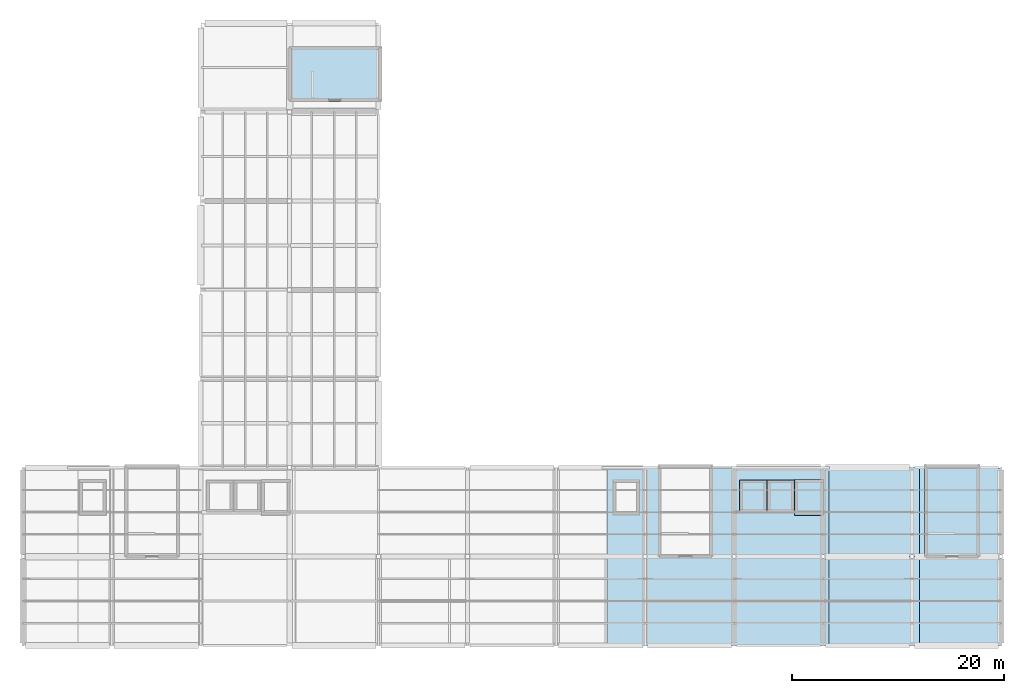
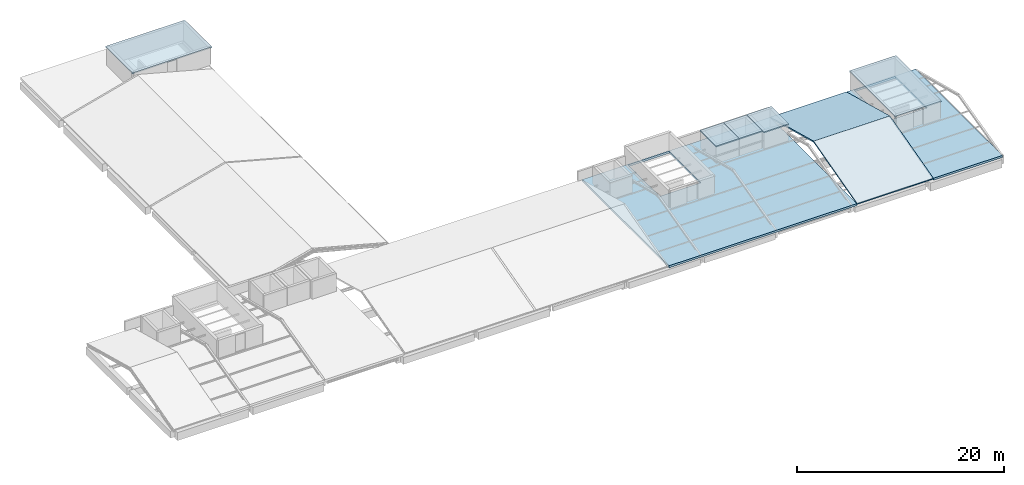
# One storey, part 5 of 17: 9 slabs.
"""IFC4 building model written with IfcOpenShell, lengths in metres."""

import ifcopenshell
import ifcopenshell.guid

model = None  # the IFC model being written
_history = None  # IfcOwnerHistory: only IFC2X3 demands one
_inside = {}  # id of a spatial element -> (the spatial element, [elements in it])
_under = {}  # id of a project, library or spatial element -> (it, [spatial elements below it])
_declared = {}  # id of a project -> (the project, [libraries it declares])
_typed = {}  # id of a type object -> (the type object, [elements of that type])
_made_of = {}  # id of a material, layer set ... -> (it, [elements and type objects made of it])


def new_model(schema):
    """Start an empty IFC model of exactly this schema.

    Asked for "IFC4X3", IfcOpenShell would pick the latest addendum, in which some entities
    have other attributes; the version numbers below select the first issue.
    IFC2X3 requires an IfcOwnerHistory on every rooted entity: one is made here for all.
    """
    global model, _history
    if schema == "IFC4X3":
        model = ifcopenshell.file(schema_version=(4, 3, 0, 0))
    else:
        model = ifcopenshell.file(schema=schema)
    _inside.clear()
    _under.clear()
    _declared.clear()
    _typed.clear()
    _made_of.clear()
    _history = None
    if model.schema == "IFC2X3":
        org = make("IfcOrganization", Name="unknown")
        user = make(
            "IfcPersonAndOrganization",
            ThePerson=make("IfcPerson", FamilyName="unknown"),
            TheOrganization=org,
        )
        app = make(
            "IfcApplication",
            ApplicationDeveloper=org,
            Version="unknown",
            ApplicationFullName="unknown",
            ApplicationIdentifier="unknown",
        )
        _history = make(
            "IfcOwnerHistory",
            OwningUser=user,
            OwningApplication=app,
            ChangeAction="ADDED",
            CreationDate=0,
        )
    return model


def make(cls, **values):
    """One entity of the class cls with the attributes given. An attribute that is None is left unset."""
    return model.create_entity(
        cls, **{name: value for name, value in values.items() if value is not None}
    )


def rooted(cls, **values):
    """An entity with a GlobalId (a new one), such as an element, a storey or a relation."""
    return make(cls, GlobalId=ifcopenshell.guid.new(), OwnerHistory=_history, **values)


def si_unit(unit_type, name, prefix=None):
    """IfcSIUnit, for example si_unit("LENGTHUNIT", "METRE", prefix="MILLI")."""
    return make("IfcSIUnit", UnitType=unit_type, Prefix=prefix, Name=name)


def derived_unit(unit_type, elements):
    """IfcDerivedUnit: a product of units, each with its exponent."""
    return make(
        "IfcDerivedUnit",
        Elements=[
            make("IfcDerivedUnitElement", Unit=unit, Exponent=power)
            for unit, power in elements
        ],
        UnitType=unit_type,
    )


def assignment(units):
    """IfcUnitAssignment: the units of a project."""
    return None if units is None else make("IfcUnitAssignment", Units=units)


def point(xyz):
    """IfcCartesianPoint."""
    return None if xyz is None else make("IfcCartesianPoint", Coordinates=xyz)


def direction(xyz):
    """IfcDirection."""
    return None if xyz is None else make("IfcDirection", DirectionRatios=xyz)


def frame(location, z_axis=None, x_axis=None):
    """IfcAxis2Placement3D, a coordinate frame: its origin and axes. An axis left out is left unset."""
    return make(
        "IfcAxis2Placement3D",
        Location=point(location),
        Axis=direction(z_axis),
        RefDirection=direction(x_axis),
    )


def origin():
    """The frame at (0, 0, 0) with its axes left unset."""
    return frame((0.0, 0.0, 0.0))


def place(relative_to, where):
    """IfcLocalPlacement: puts the frame where relative to a parent placement (None: the world)."""
    return make(
        "IfcLocalPlacement", PlacementRelTo=relative_to, RelativePlacement=where
    )


def context(
    kind, dimensions, precision=None, world=None, true_north=None, identifier=None
):
    """IfcGeometricRepresentationContext, for example the 3D "Model" context."""
    return make(
        "IfcGeometricRepresentationContext",
        ContextIdentifier=identifier,
        ContextType=kind,
        CoordinateSpaceDimension=dimensions,
        Precision=precision,
        WorldCoordinateSystem=world,
        TrueNorth=true_north,
    )


def subcontext(parent, identifier, kind, view, scale=None):
    """IfcGeometricRepresentationSubContext, for example "Body" below "Model"."""
    return make(
        "IfcGeometricRepresentationSubContext",
        ContextIdentifier=identifier,
        ContextType=kind,
        ParentContext=parent,
        TargetScale=scale,
        TargetView=view,
    )


def project(units=None, contexts=None):
    """IfcProject with its units and contexts."""
    return rooted(
        "IfcProject",
        Name="project",
        RepresentationContexts=contexts,
        UnitsInContext=assignment(units),
    )


def spatial(cls, under=None, at=None, **own):
    """A site, building, storey or space (cls), placed at a placement, below another one or the project."""
    s = rooted(cls, ObjectPlacement=at, **own)
    if under is not None:
        _under.setdefault(under.id(), (under, []))[1].append(s)
    return s


def polyline(points):
    """IfcPolyline through the points."""
    return make("IfcPolyline", Points=[point(p) for p in points])


def outline(outer, holes=None, kind="AREA"):
    """IfcArbitraryClosedProfileDef: a profile drawn as a closed curve; with holes, ...WithVoids."""
    if holes is None:
        return make("IfcArbitraryClosedProfileDef", ProfileType=kind, OuterCurve=outer)
    return make(
        "IfcArbitraryProfileDefWithVoids",
        ProfileType=kind,
        OuterCurve=outer,
        InnerCurves=holes,
    )


def extrude(swept, where, along, depth):
    """IfcExtrudedAreaSolid: the profile swept, set in the frame where, extruded along a direction by depth."""
    return make(
        "IfcExtrudedAreaSolid",
        SweptArea=swept,
        Position=where,
        ExtrudedDirection=direction(along),
        Depth=depth,
    )


def shape(context_of_items, identifier, shape_type, items):
    """IfcShapeRepresentation: the items that make up one representation, for example the "Body"."""
    return make(
        "IfcShapeRepresentation",
        ContextOfItems=context_of_items,
        RepresentationIdentifier=identifier,
        RepresentationType=shape_type,
        Items=items,
    )


def material(Name=None, Category=None):
    """IfcMaterial."""
    return make("IfcMaterial", Name=Name, Category=Category)


def layer(
    of_material, thickness, ventilated=None, Name=None, Category=None, Priority=None
):
    """IfcMaterialLayer: one layer of a wall or slab, of a material (None: an air gap)."""
    return make(
        "IfcMaterialLayer",
        Material=of_material,
        LayerThickness=thickness,
        IsVentilated=ventilated,
        Name=Name,
        Category=Category,
        Priority=Priority,
    )


def layer_set(layers, Name=None):
    """IfcMaterialLayerSet."""
    return make("IfcMaterialLayerSet", MaterialLayers=layers, LayerSetName=Name)


def made_of(thing, what):
    """Note that an element or type object is made of a material, layer set ...; save() writes the relation."""
    if what is not None:
        _made_of.setdefault(what.id(), (what, []))[1].append(thing)
    return thing


def type_object(cls, material=None, **own):
    """A type object (cls), such as IfcWallType, which elements share."""
    return made_of(rooted(cls, **own), material)


def element(
    cls,
    number,
    at=None,
    inside=None,
    cuts=None,
    type_object=None,
    material=None,
    context=None,
    identifier="Body",
    shape_type=None,
    held_by="IfcProductDefinitionShape",
    body=None,
    shapes=None,
    **own,
):
    """One element of the class cls, such as IfcWall. Its Tag is "e" and its number.

    at: its placement. inside: the storey or other place that contains it. cuts: it is an
    opening in that element (IfcRelVoidsElement). A single representation is given by context,
    identifier, shape_type and body (its items); several are given by shapes. held_by: the class
    of the entity that holds the representations. save() writes the other relations.
    """
    e = rooted(cls, Tag="e%d" % number, ObjectPlacement=at, **own)
    if body is not None:
        shapes = [shape(context, identifier, shape_type, body)]
    if shapes is not None:
        e.Representation = make(held_by, Representations=shapes)
    if inside is not None:
        _inside.setdefault(inside.id(), (inside, []))[1].append(e)
    if cuts is not None:
        rooted(
            "IfcRelVoidsElement", RelatingBuildingElement=cuts, RelatedOpeningElement=e
        )
    if type_object is not None:
        _typed.setdefault(type_object.id(), (type_object, []))[1].append(e)
    return made_of(e, material)


def aggregate(whole, parts):
    """IfcRelAggregates: a whole, such as a stair, and the parts it consists of."""
    return rooted("IfcRelAggregates", RelatingObject=whole, RelatedObjects=parts)


def save(model, path):
    """Write the relations noted so far, then the file.

    IfcRelAggregates (storeys below a building ...), IfcRelContainedInSpatialStructure (elements
    in a storey), IfcRelDefinesByType, IfcRelAssociatesMaterial and IfcRelDeclares: one each for
    every whole, place, type object, material and project.
    """
    for whole, parts in _under.values():
        aggregate(whole, parts)
    for where, things in _inside.values():
        rooted(
            "IfcRelContainedInSpatialStructure",
            RelatedElements=things,
            RelatingStructure=where,
        )
    for kind, things in _typed.values():
        rooted("IfcRelDefinesByType", RelatedObjects=things, RelatingType=kind)
    for what, things in _made_of.values():
        rooted("IfcRelAssociatesMaterial", RelatedObjects=things, RelatingMaterial=what)
    for by, libraries in _declared.values():
        rooted("IfcRelDeclares", RelatingContext=by, RelatedDefinitions=libraries)
    model.write(path)


model = new_model("IFC4")

# Units and contexts
model_context = context("Model", 3, precision=1e-05, world=origin(), true_north=direction((0.0, 1.0)))
body_context = subcontext(model_context, "Body", "Model", "MODEL_VIEW")
ifc_project = project(units=[si_unit("LENGTHUNIT", "METRE"), si_unit("AREAUNIT", "SQUARE_METRE"), si_unit("VOLUMEUNIT", "CUBIC_METRE"), si_unit("PLANEANGLEUNIT", "RADIAN"), si_unit("MASSUNIT", "GRAM", prefix="KILO"), derived_unit("THERMALTRANSMITTANCEUNIT", [(si_unit("POWERUNIT", "WATT"), 1), (si_unit("LENGTHUNIT", "METRE"), -2), (si_unit("THERMODYNAMICTEMPERATUREUNIT", "KELVIN"), -1)])], contexts=[model_context])

# Site, building, storey
site_placement = place(None, origin())
site = spatial("IfcSite", under=ifc_project, at=site_placement, CompositionType="ELEMENT")
building_placement = place(site_placement, origin())
building = spatial("IfcBuilding", under=site, at=building_placement, Name="Barrovel Congress Hotel", CompositionType="ELEMENT")
storey_placement = place(building_placement, frame((0.0, 0.0, 47.10009765625)))
storey = spatial("IfcBuildingStorey", under=building, at=storey_placement, Name="RF", CompositionType="ELEMENT", Elevation=47.10009765625)

# Slabs
ifc_material = material(Name="Concrete C35", Category="concrete")
ifc_layer_1 = layer(ifc_material, 0.139892578125)
ifc_layer_set_1 = layer_set([ifc_layer_1], Name="Concrete C35")
slab_type_1 = type_object("IfcSlabType", Name="SL-R140", PredefinedType="ROOF", material=ifc_layer_set_1)
slab_1_placement = place(storey_placement, frame((0.0, 0.0, 1.97998046875)))
element("IfcSlab", 1, at=slab_1_placement, inside=storey, type_object=slab_type_1, Name="Stair Headhouse Roof XS-03", PredefinedType="ROOF", context=body_context, shape_type="SweptSolid", body=[
    extrude(outline(polyline([(102.0, 12.4599609375), (107.199951171875, 12.4599609375), (107.199951171875, 21.300048828125), (102.0, 21.300048828125), (102.0, 12.4599609375)])), origin(), (0.0, 0.0, 1.0), 0.139892578125),
])
slab_2_placement = place(storey_placement, frame((0.0, 0.0, 1.97998046875)))
element("IfcSlab", 2, at=slab_2_placement, inside=storey, type_object=slab_type_1, Name="Stair Headhouse Roof XS-05", PredefinedType="ROOF", context=body_context, shape_type="SweptSolid", body=[
    extrude(outline(polyline([(41.860107421875, 55.60009765625), (50.699951171875, 55.60009765625), (50.699951171875, 60.800048828125), (41.860107421875, 60.800048828125), (41.860107421875, 55.60009765625)])), origin(), (0.0, 0.0, 1.0), 0.139892578125),
])
slab_3_placement = place(storey_placement, frame((0.0, 0.0, 1.97998046875)))
element("IfcSlab", 3, at=slab_3_placement, inside=storey, type_object=slab_type_1, Name="Lift Overrun Roof PL-3", PredefinedType="ROOF", context=body_context, shape_type="SweptSolid", body=[
    extrude(outline(polyline([(84.5, 16.75), (87.10009765625, 16.75), (87.10009765625, 19.85009765625), (84.5, 19.85009765625), (84.5, 16.75)])), origin(), (0.0, 0.0, 1.0), 0.139892578125),
])
slab_4_placement = place(storey_placement, frame((0.0, 0.0, 1.97998046875)))
element("IfcSlab", 4, at=slab_4_placement, inside=storey, type_object=slab_type_1, Name="Lift Overrun Roof PL-4", PredefinedType="ROOF", context=body_context, shape_type="SweptSolid", body=[
    extrude(outline(polyline([(87.10009765625, 16.75), (89.699951171875, 16.75), (89.699951171875, 19.85009765625), (87.10009765625, 19.85009765625), (87.10009765625, 16.75)])), origin(), (0.0, 0.0, 1.0), 0.139892578125),
])
slab_5_placement = place(storey_placement, frame((0.0, 0.0, 1.97998046875)))
element("IfcSlab", 5, at=slab_5_placement, inside=storey, type_object=slab_type_1, Name="Lift Overrun Roof SL-2", PredefinedType="ROOF", context=body_context, shape_type="SweptSolid", body=[
    extrude(outline(polyline([(89.699951171875, 16.5), (92.5, 16.5), (92.5, 19.89990234375), (89.699951171875, 19.89990234375), (89.699951171875, 16.5)])), origin(), (0.0, 0.0, 1.0), 0.139892578125),
])
ifc_layer_2 = layer(ifc_material, 0.159912109375)
ifc_layer_set_2 = layer_set([ifc_layer_2], Name="Concrete C35")
slab_type_2 = type_object("IfcSlabType", Name="SL-R160", PredefinedType="ROOF", material=ifc_layer_set_2)
slab_6_placement = place(storey_placement, frame((93.0, 4.199951171875, 0.0), z_axis=(0.0, -0.258810457345, 0.965928127331), x_axis=(1.0, 0.0, 0.0)))
element("IfcSlab", 6, at=slab_6_placement, inside=storey, type_object=slab_type_2, Name="SLAB:RF-ATTIC-S3", PredefinedType="ROOF", context=body_context, shape_type="SweptSolid", body=[
    extrude(outline(polyline([(0.0, 0.0), (8.5, 0.0), (8.5, 8.696450850423807), (0.0, 8.696450850423807), (0.0, 0.0)])), origin(), (0.0, 0.0, -1.0), 0.159912109375),
])
slab_7_placement = place(storey_placement, frame((93.0, 12.60009765625, 2.250732421875), z_axis=(0.0, 0.258817475711, 0.965926246805), x_axis=(1.0, 0.0, 0.0)))
element("IfcSlab", 7, at=slab_7_placement, inside=storey, type_object=slab_type_2, Name="SLAB:RF-ATTIC-N3", PredefinedType="ROOF", context=body_context, shape_type="SweptSolid", body=[
    extrude(outline(polyline([(0.0, 0.0), (8.5, 0.0), (8.5, 8.69621502835665), (0.0, 8.69621502835665), (0.0, 0.0)])), origin(), (0.0, 0.0, -1.0), 0.159912109375),
])
ifc_layer_3 = layer(ifc_material, 0.239990234375)
ifc_layer_set_3 = layer_set([ifc_layer_3], Name="Concrete C35")
slab_type_3 = type_object("IfcSlabType", Name="SL-R240", PredefinedType="ROOF", material=ifc_layer_set_3)
slab_8_placement = place(storey_placement, frame((0.0, 0.0, -0.239990234375)))
element("IfcSlab", 8, at=slab_8_placement, inside=storey, type_object=slab_type_3, Name="SLAB:RF:CORE-DECK-2", PredefinedType="ROOF", context=body_context, shape_type="SweptSolid", body=[
    extrude(outline(polyline([(72.02001953125, 4.199951171875), (92.97998046875, 4.199951171875), (92.97998046875, 20.97998046875), (72.02001953125, 20.97998046875), (72.02001953125, 4.199951171875)]), holes=[polyline([(77.10009765625, 14.780029296875), (77.10009765625, 20.89990234375), (81.699951171875, 20.89990234375), (81.699951171875, 14.780029296875), (77.10009765625, 14.780029296875)])]), origin(), (0.0, 0.0, 1.0), 0.239990234375),
])
slab_9_placement = place(storey_placement, frame((0.0, 0.0, -0.239990234375)))
element("IfcSlab", 9, at=slab_9_placement, inside=storey, type_object=slab_type_3, Name="SLAB:RF:CORE-DECK-3", PredefinedType="ROOF", context=body_context, shape_type="SweptSolid", body=[
    extrude(outline(polyline([(101.52001953125, 4.199951171875), (109.199951171875, 4.199951171875), (109.199951171875, 20.97998046875), (101.52001953125, 20.97998046875), (101.52001953125, 4.199951171875)]), holes=[polyline([(102.300048828125, 14.780029296875), (102.300048828125, 20.89990234375), (106.89990234375, 20.89990234375), (106.89990234375, 14.780029296875), (102.300048828125, 14.780029296875)])]), origin(), (0.0, 0.0, 1.0), 0.239990234375),
])

save(model, "model.ifc")
